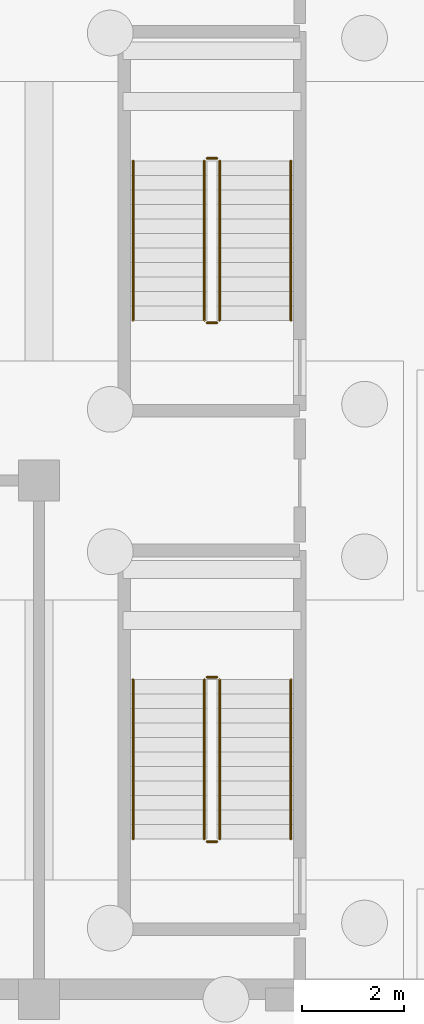
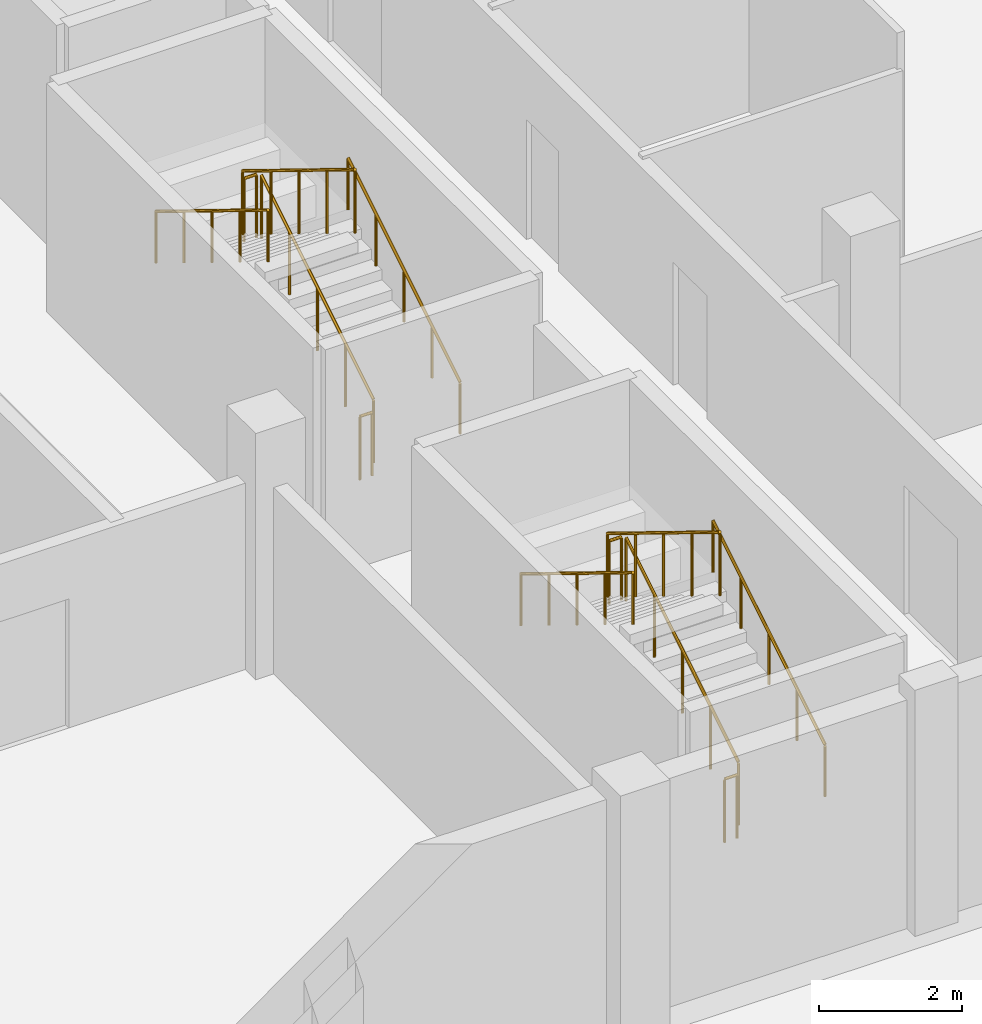
# One storey, part 17 of 18: 12 railings.
"""IFC4 building model written with IfcOpenShell, lengths in metres."""

from ifc_helpers import new_model, si_unit, direction, frame, origin, origin_2d, place, context, subcontext, project, spatial, circle, extrude, material, layer, layer_set, type_object, element, save


model = new_model("IFC4")

# Units and contexts
model_context = context("Model", 3, precision=1e-05, world=origin(), true_north=direction((0.0, 1.0)))
body_context = subcontext(model_context, "Body", "Model", "MODEL_VIEW")
ifc_project = project(units=[si_unit("LENGTHUNIT", "METRE"), si_unit("AREAUNIT", "SQUARE_METRE"), si_unit("VOLUMEUNIT", "CUBIC_METRE"), si_unit("PLANEANGLEUNIT", "RADIAN"), si_unit("MASSUNIT", "GRAM", prefix="KILO")], contexts=[model_context])

# Site, building, storey
site_placement = place(None, origin())
site = spatial("IfcSite", under=ifc_project, at=site_placement, CompositionType="ELEMENT")
building_placement = place(site_placement, origin())
building = spatial("IfcBuilding", under=site, at=building_placement, Name="Vondelvale Polytechnic", CompositionType="ELEMENT")
storey_placement = place(building_placement, frame((0.0, 0.0, -4.199951171875)))
storey = spatial("IfcBuildingStorey", under=building, at=storey_placement, Name="B1", CompositionType="ELEMENT", Elevation=-4.199951171875)

# Railings
ifc_material = material(Name="Brushed architectural stainless and zinc-coated metal")
ifc_layer_1 = layer(ifc_material, 0.050048828125)
ifc_layer_set_1 = layer_set([ifc_layer_1], Name="RL-STAIR-GUARD")
railing_type_1 = type_object("IfcRailingType", Name="RL-STAIR-GUARD", PredefinedType="GUARDRAIL", material=ifc_layer_set_1)
railing_1_placement = place(storey_placement, frame((157.14990234375, 3.14990234375, 0.175048828125)))
element("IfcRailing", 1, at=railing_1_placement, inside=storey, type_object=railing_type_1, Name="B1 ST-06 stair guard 1", PredefinedType="GUARDRAIL", context=body_context, shape_type="SweptSolid", body=[
    extrude(circle(Radius=0.02392578125, at=origin_2d()), frame((0.0, 0.0, 1.076171875), z_axis=(0.0, 0.852195625947, 0.523223293744), x_axis=(-1.0, 0.0, 0.0)), (0.0, 0.0, 1.0), 3.6787109375),
    extrude(circle(Radius=0.02099609375, at=origin_2d()), origin(), (0.0, 0.0, 1.0), 1.052001953125),
    extrude(circle(Radius=0.02099609375, at=origin_2d()), frame((0.0, 0.78369140625, 0.481201171875)), (0.0, 0.0, 1.0), 1.052001953125),
    extrude(circle(Radius=0.02099609375, at=origin_2d()), frame((0.0, 1.5673828125, 0.96240234375)), (0.0, 0.0, 1.0), 1.052001953125),
    extrude(circle(Radius=0.02099609375, at=origin_2d()), frame((0.0, 2.351318359375, 1.443603515625)), (0.0, 0.0, 1.0), 1.052001953125),
    extrude(circle(Radius=0.02099609375, at=origin_2d()), frame((0.0, 3.135009765625, 1.9248046875)), (0.0, 0.0, 1.0), 1.052001953125),
])
railing_2_placement = place(storey_placement, frame((157.10009765625, 6.3349609375, 2.099853515625)))
element("IfcRailing", 2, at=railing_2_placement, inside=storey, type_object=railing_type_1, Name="B1 ST-06 stair guard 2", PredefinedType="GUARDRAIL", context=body_context, shape_type="SweptSolid", body=[
    extrude(circle(Radius=0.02392578125, at=origin_2d()), frame((0.0, 0.0, 1.076171875), z_axis=(-1.0, 0.0, 0.0), x_axis=(0.0, -1.0, 0.0)), (0.0, 0.0, 1.0), 0.2001953125),
    extrude(circle(Radius=0.02099609375, at=origin_2d()), origin(), (0.0, 0.0, 1.0), 1.052001953125),
    extrude(circle(Radius=0.02099609375, at=origin_2d()), frame((-0.2001953125, 0.0, 0.0)), (0.0, 0.0, 1.0), 1.052001953125),
])
railing_3_placement = place(storey_placement, frame((156.85009765625, 6.284912109375, 2.27490234375)))
element("IfcRailing", 3, at=railing_3_placement, inside=storey, type_object=railing_type_1, Name="B1 ST-06 stair guard 3", PredefinedType="GUARDRAIL", context=body_context, shape_type="SweptSolid", body=[
    extrude(circle(Radius=0.02392578125, at=origin_2d()), frame((0.0, 0.0, 1.076171875), z_axis=(0.0, -0.852166034122, 0.523271488128), x_axis=(1.0, 0.0, 0.0)), (0.0, 0.0, 1.0), 3.678955078125),
    extrude(circle(Radius=0.02099609375, at=origin_2d()), origin(), (0.0, 0.0, 1.0), 1.052001953125),
    extrude(circle(Radius=0.02099609375, at=origin_2d()), frame((0.0, -0.78369140625, 0.481201171875)), (0.0, 0.0, 1.0), 1.052001953125),
    extrude(circle(Radius=0.02099609375, at=origin_2d()), frame((0.0, -1.5673828125, 0.96240234375)), (0.0, 0.0, 1.0), 1.052001953125),
    extrude(circle(Radius=0.02099609375, at=origin_2d()), frame((0.0, -2.351318359375, 1.44384765625)), (0.0, 0.0, 1.0), 1.052001953125),
    extrude(circle(Radius=0.02099609375, at=origin_2d()), frame((0.0, -3.135009765625, 1.925048828125)), (0.0, 0.0, 1.0), 1.052001953125),
])
railing_4_placement = place(storey_placement, frame((157.10009765625, 3.10009765625, 0.0)))
element("IfcRailing", 4, at=railing_4_placement, inside=storey, type_object=railing_type_1, Name="B1 ST-06 stair guard 4", PredefinedType="GUARDRAIL", context=body_context, shape_type="SweptSolid", body=[
    extrude(circle(Radius=0.02392578125, at=origin_2d()), frame((0.0, 0.0, 1.076171875), z_axis=(-1.0, 0.0, 0.0), x_axis=(0.0, -1.0, 0.0)), (0.0, 0.0, 1.0), 0.2001953125),
    extrude(circle(Radius=0.02099609375, at=origin_2d()), origin(), (0.0, 0.0, 1.0), 1.052001953125),
    extrude(circle(Radius=0.02099609375, at=origin_2d()), frame((-0.2001953125, 0.0, 0.0)), (0.0, 0.0, 1.0), 1.052001953125),
])
railing_5_placement = place(storey_placement, frame((157.14990234375, 13.35009765625, 0.175048828125)))
element("IfcRailing", 5, at=railing_5_placement, inside=storey, type_object=railing_type_1, Name="B1 ST-07 stair guard 1", PredefinedType="GUARDRAIL", context=body_context, shape_type="SweptSolid", body=[
    extrude(circle(Radius=0.02392578125, at=origin_2d()), frame((0.0, 0.0, 1.076171875), z_axis=(0.0, 0.852195625947, 0.523223293744), x_axis=(-1.0, 0.0, 0.0)), (0.0, 0.0, 1.0), 3.6787109375),
    extrude(circle(Radius=0.02099609375, at=origin_2d()), origin(), (0.0, 0.0, 1.0), 1.052001953125),
    extrude(circle(Radius=0.02099609375, at=origin_2d()), frame((0.0, 0.78369140625, 0.481201171875)), (0.0, 0.0, 1.0), 1.052001953125),
    extrude(circle(Radius=0.02099609375, at=origin_2d()), frame((0.0, 1.5673828125, 0.96240234375)), (0.0, 0.0, 1.0), 1.052001953125),
    extrude(circle(Radius=0.02099609375, at=origin_2d()), frame((0.0, 2.351318359375, 1.443603515625)), (0.0, 0.0, 1.0), 1.052001953125),
    extrude(circle(Radius=0.02099609375, at=origin_2d()), frame((0.0, 3.135009765625, 1.9248046875)), (0.0, 0.0, 1.0), 1.052001953125),
])
railing_6_placement = place(storey_placement, frame((157.10009765625, 16.534912109375, 2.099853515625)))
element("IfcRailing", 6, at=railing_6_placement, inside=storey, type_object=railing_type_1, Name="B1 ST-07 stair guard 2", PredefinedType="GUARDRAIL", context=body_context, shape_type="SweptSolid", body=[
    extrude(circle(Radius=0.02392578125, at=origin_2d()), frame((0.0, 0.0, 1.076171875), z_axis=(-1.0, 0.0, 0.0), x_axis=(0.0, -1.0, 0.0)), (0.0, 0.0, 1.0), 0.2001953125),
    extrude(circle(Radius=0.02099609375, at=origin_2d()), origin(), (0.0, 0.0, 1.0), 1.052001953125),
    extrude(circle(Radius=0.02099609375, at=origin_2d()), frame((-0.2001953125, 0.0, 0.0)), (0.0, 0.0, 1.0), 1.052001953125),
])
railing_7_placement = place(storey_placement, frame((156.85009765625, 16.485107421875, 2.27490234375)))
element("IfcRailing", 7, at=railing_7_placement, inside=storey, type_object=railing_type_1, Name="B1 ST-07 stair guard 3", PredefinedType="GUARDRAIL", context=body_context, shape_type="SweptSolid", body=[
    extrude(circle(Radius=0.02392578125, at=origin_2d()), frame((0.0, 0.0, 1.076171875), z_axis=(0.0, -0.852166034122, 0.523271488128), x_axis=(1.0, 0.0, 0.0)), (0.0, 0.0, 1.0), 3.678955078125),
    extrude(circle(Radius=0.02099609375, at=origin_2d()), origin(), (0.0, 0.0, 1.0), 1.052001953125),
    extrude(circle(Radius=0.02099609375, at=origin_2d()), frame((0.0, -0.78369140625, 0.481201171875)), (0.0, 0.0, 1.0), 1.052001953125),
    extrude(circle(Radius=0.02099609375, at=origin_2d()), frame((0.0, -1.5673828125, 0.96240234375)), (0.0, 0.0, 1.0), 1.052001953125),
    extrude(circle(Radius=0.02099609375, at=origin_2d()), frame((0.0, -2.351318359375, 1.44384765625)), (0.0, 0.0, 1.0), 1.052001953125),
    extrude(circle(Radius=0.02099609375, at=origin_2d()), frame((0.0, -3.135009765625, 1.925048828125)), (0.0, 0.0, 1.0), 1.052001953125),
])
railing_8_placement = place(storey_placement, frame((157.10009765625, 13.300048828125, 0.0)))
element("IfcRailing", 8, at=railing_8_placement, inside=storey, type_object=railing_type_1, Name="B1 ST-07 stair guard 4", PredefinedType="GUARDRAIL", context=body_context, shape_type="SweptSolid", body=[
    extrude(circle(Radius=0.02392578125, at=origin_2d()), frame((0.0, 0.0, 1.076171875), z_axis=(-1.0, 0.0, 0.0), x_axis=(0.0, -1.0, 0.0)), (0.0, 0.0, 1.0), 0.2001953125),
    extrude(circle(Radius=0.02099609375, at=origin_2d()), origin(), (0.0, 0.0, 1.0), 1.052001953125),
    extrude(circle(Radius=0.02099609375, at=origin_2d()), frame((-0.2001953125, 0.0, 0.0)), (0.0, 0.0, 1.0), 1.052001953125),
])
ifc_layer_2 = layer(ifc_material, 0.048095703125)
ifc_layer_set_2 = layer_set([ifc_layer_2], Name="RL-STAIR-HANDRAIL")
railing_type_2 = type_object("IfcRailingType", Name="RL-STAIR-HANDRAIL", PredefinedType="HANDRAIL", material=ifc_layer_set_2)
railing_9_placement = place(storey_placement, frame((158.550048828125, 3.14990234375, 0.175048828125)))
element("IfcRailing", 9, at=railing_9_placement, inside=storey, type_object=railing_type_2, Name="B1 ST-06 stair handrail 1", PredefinedType="HANDRAIL", context=body_context, shape_type="SweptSolid", body=[
    extrude(circle(Radius=0.02392578125, at=origin_2d()), frame((0.0, 0.0, 0.8759765625), z_axis=(0.0, 0.852195625947, 0.523223293744), x_axis=(-1.0, 0.0, 0.0)), (0.0, 0.0, 1.0), 3.6787109375),
    extrude(circle(Radius=0.02099609375, at=origin_2d()), origin(), (0.0, 0.0, 1.0), 0.851806640625),
    extrude(circle(Radius=0.02099609375, at=origin_2d()), frame((0.0, 0.78369140625, 0.481201171875)), (0.0, 0.0, 1.0), 0.851806640625),
    extrude(circle(Radius=0.02099609375, at=origin_2d()), frame((0.0, 1.5673828125, 0.96240234375)), (0.0, 0.0, 1.0), 0.851806640625),
    extrude(circle(Radius=0.02099609375, at=origin_2d()), frame((0.0, 2.351318359375, 1.443603515625)), (0.0, 0.0, 1.0), 0.851806640625),
    extrude(circle(Radius=0.02099609375, at=origin_2d()), frame((0.0, 3.135009765625, 1.9248046875)), (0.0, 0.0, 1.0), 0.851806640625),
])
railing_10_placement = place(storey_placement, frame((155.449951171875, 6.284912109375, 2.27490234375)))
element("IfcRailing", 10, at=railing_10_placement, inside=storey, type_object=railing_type_2, Name="B1 ST-06 stair handrail 2", PredefinedType="HANDRAIL", context=body_context, shape_type="SweptSolid", body=[
    extrude(circle(Radius=0.02392578125, at=origin_2d()), frame((0.0, 0.0, 0.8759765625), z_axis=(0.0, -0.852166034122, 0.523271488128), x_axis=(1.0, 0.0, 0.0)), (0.0, 0.0, 1.0), 3.678955078125),
    extrude(circle(Radius=0.02099609375, at=origin_2d()), origin(), (0.0, 0.0, 1.0), 0.851806640625),
    extrude(circle(Radius=0.02099609375, at=origin_2d()), frame((0.0, -0.78369140625, 0.481201171875)), (0.0, 0.0, 1.0), 0.851806640625),
    extrude(circle(Radius=0.02099609375, at=origin_2d()), frame((0.0, -1.5673828125, 0.96240234375)), (0.0, 0.0, 1.0), 0.851806640625),
    extrude(circle(Radius=0.02099609375, at=origin_2d()), frame((0.0, -2.351318359375, 1.44384765625)), (0.0, 0.0, 1.0), 0.851806640625),
    extrude(circle(Radius=0.02099609375, at=origin_2d()), frame((0.0, -3.135009765625, 1.925048828125)), (0.0, 0.0, 1.0), 0.851806640625),
])
railing_11_placement = place(storey_placement, frame((158.550048828125, 13.35009765625, 0.175048828125)))
element("IfcRailing", 11, at=railing_11_placement, inside=storey, type_object=railing_type_2, Name="B1 ST-07 stair handrail 1", PredefinedType="HANDRAIL", context=body_context, shape_type="SweptSolid", body=[
    extrude(circle(Radius=0.02392578125, at=origin_2d()), frame((0.0, 0.0, 0.8759765625), z_axis=(0.0, 0.852195625947, 0.523223293744), x_axis=(-1.0, 0.0, 0.0)), (0.0, 0.0, 1.0), 3.6787109375),
    extrude(circle(Radius=0.02099609375, at=origin_2d()), origin(), (0.0, 0.0, 1.0), 0.851806640625),
    extrude(circle(Radius=0.02099609375, at=origin_2d()), frame((0.0, 0.78369140625, 0.481201171875)), (0.0, 0.0, 1.0), 0.851806640625),
    extrude(circle(Radius=0.02099609375, at=origin_2d()), frame((0.0, 1.5673828125, 0.96240234375)), (0.0, 0.0, 1.0), 0.851806640625),
    extrude(circle(Radius=0.02099609375, at=origin_2d()), frame((0.0, 2.351318359375, 1.443603515625)), (0.0, 0.0, 1.0), 0.851806640625),
    extrude(circle(Radius=0.02099609375, at=origin_2d()), frame((0.0, 3.135009765625, 1.9248046875)), (0.0, 0.0, 1.0), 0.851806640625),
])
railing_12_placement = place(storey_placement, frame((155.449951171875, 16.485107421875, 2.27490234375)))
element("IfcRailing", 12, at=railing_12_placement, inside=storey, type_object=railing_type_2, Name="B1 ST-07 stair handrail 2", PredefinedType="HANDRAIL", context=body_context, shape_type="SweptSolid", body=[
    extrude(circle(Radius=0.02392578125, at=origin_2d()), frame((0.0, 0.0, 0.8759765625), z_axis=(0.0, -0.852166034122, 0.523271488128), x_axis=(1.0, 0.0, 0.0)), (0.0, 0.0, 1.0), 3.678955078125),
    extrude(circle(Radius=0.02099609375, at=origin_2d()), origin(), (0.0, 0.0, 1.0), 0.851806640625),
    extrude(circle(Radius=0.02099609375, at=origin_2d()), frame((0.0, -0.78369140625, 0.481201171875)), (0.0, 0.0, 1.0), 0.851806640625),
    extrude(circle(Radius=0.02099609375, at=origin_2d()), frame((0.0, -1.5673828125, 0.96240234375)), (0.0, 0.0, 1.0), 0.851806640625),
    extrude(circle(Radius=0.02099609375, at=origin_2d()), frame((0.0, -2.351318359375, 1.44384765625)), (0.0, 0.0, 1.0), 0.851806640625),
    extrude(circle(Radius=0.02099609375, at=origin_2d()), frame((0.0, -3.135009765625, 1.925048828125)), (0.0, 0.0, 1.0), 0.851806640625),
])

save(model, "model.ifc")
